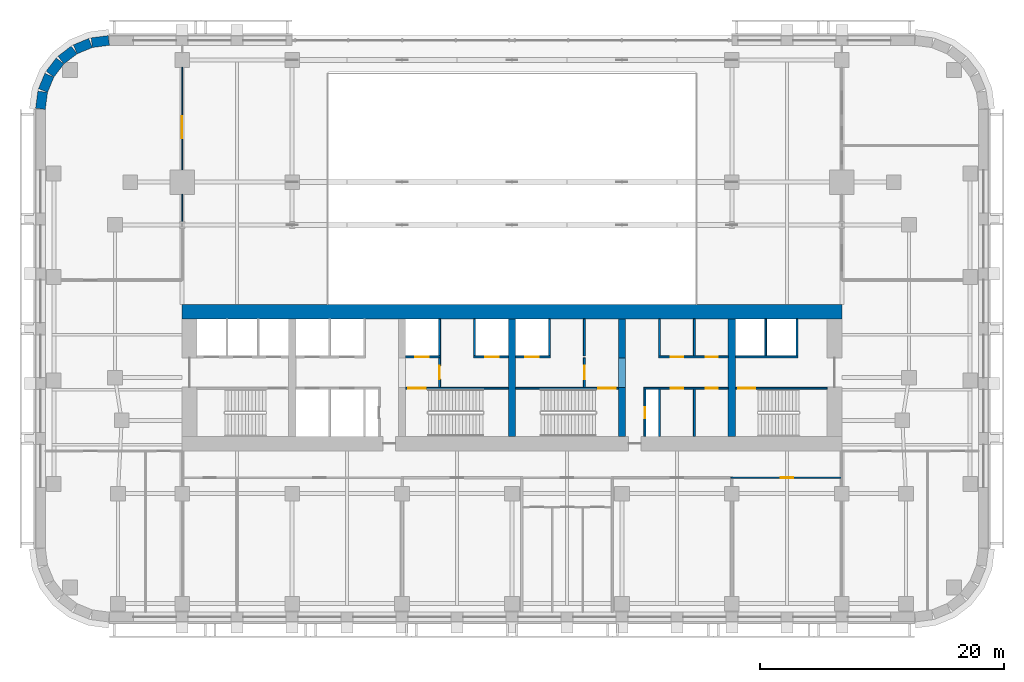
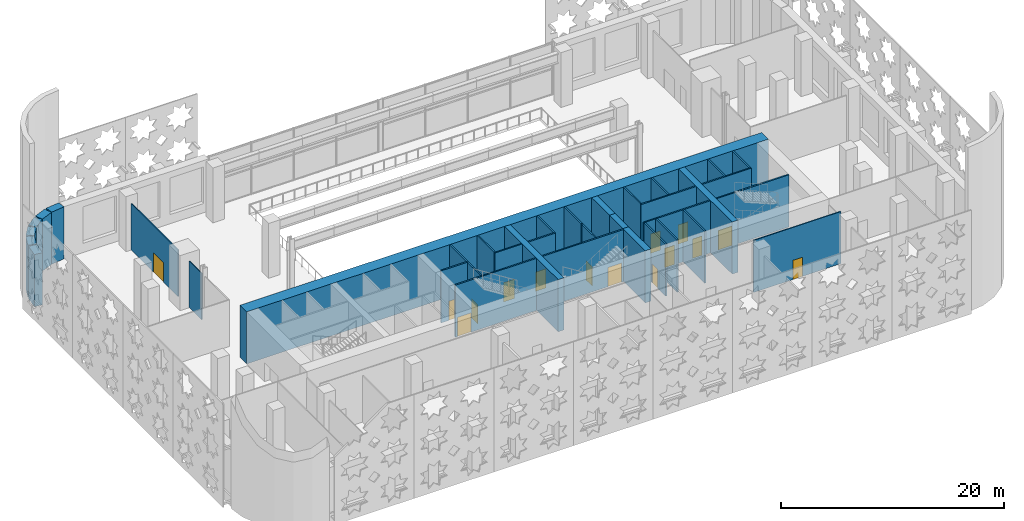
# One storey, part 6 of 17: 37 walls, 15 doors, 15 openings.
"""IFC4 building model written with IfcOpenShell, lengths in metres."""

from ifc_helpers import new_model, si_unit, direction, frame, frame_2d, origin, place, context, subcontext, project, spatial, rectangle, extrude, material, layer, layer_set, type_object, element, fill, save


model = new_model("IFC4")

# Units and contexts
model_context = context("Model", 3, precision=1e-05, world=origin(), true_north=direction((0.0, 1.0)))
body_context = subcontext(model_context, "Body", "Model", "MODEL_VIEW")
ifc_project = project(units=[si_unit("LENGTHUNIT", "METRE"), si_unit("AREAUNIT", "SQUARE_METRE"), si_unit("VOLUMEUNIT", "CUBIC_METRE"), si_unit("PLANEANGLEUNIT", "RADIAN"), si_unit("MASSUNIT", "GRAM", prefix="KILO")], contexts=[model_context])

# Site, building, storey
site_placement = place(None, origin())
site = spatial("IfcSite", under=ifc_project, at=site_placement, CompositionType="ELEMENT")
building_placement = place(site_placement, origin())
building = spatial("IfcBuilding", under=site, at=building_placement, Name="Zellij Exchange Tower", CompositionType="ELEMENT")
storey_placement = place(building_placement, frame((0.0, 0.0, 21.0)))
storey = spatial("IfcBuildingStorey", under=building, at=storey_placement, Name="L03", CompositionType="ELEMENT", Elevation=21.0)

# Walls
ifc_material_1 = material(Name="Concrete C70/85", Category="concrete")
ifc_layer_1 = layer(ifc_material_1, 0.60009765625)
ifc_layer_set_1 = layer_set([ifc_layer_1], Name="Concrete C70/85")
wall_type_1 = type_object("IfcWallType", Name="CORE-CW 600 C70/85", PredefinedType="SHEAR", material=ifc_layer_set_1)
wall_1_placement = place(storey_placement, frame((0.0, -12.800048828125, 0.0), z_axis=(0.0, 0.0, 1.0), x_axis=(0.0, 1.0, 0.0)))
element("IfcWall", 1, at=wall_1_placement, inside=storey, type_object=wall_type_1, Name="Core cross wall x 0 L03", PredefinedType="SHEAR", context=body_context, shape_type="SweptSolid", body=[
    extrude(rectangle(XDim=9.60009765625, YDim=0.60009765625, at=frame_2d((4.800048828125, 0.0))), origin(), (0.0, 0.0, 1.0), 5.699951171875),
])
wall_2_placement = place(storey_placement, frame((9.0, -12.800048828125, 0.0), z_axis=(0.0, 0.0, 1.0), x_axis=(0.0, 1.0, 0.0)))
element("IfcWall", 2, at=wall_2_placement, inside=storey, type_object=wall_type_1, Name="Core cross wall pier x 9 a L03", PredefinedType="SHEAR", context=body_context, shape_type="SweptSolid", body=[
    extrude(rectangle(XDim=4.0, YDim=0.60009765625, at=frame_2d((2.0, 0.0))), origin(), (0.0, 0.0, 1.0), 5.699951171875),
])
wall_3_placement = place(storey_placement, frame((9.0, -6.375, 0.0), z_axis=(0.0, 0.0, 1.0), x_axis=(0.0, 1.0, 0.0)))
element("IfcWall", 3, at=wall_3_placement, inside=storey, type_object=wall_type_1, Name="Core cross wall pier x 9 b L03", PredefinedType="SHEAR", context=body_context, shape_type="SweptSolid", body=[
    extrude(rectangle(XDim=3.175048828125, YDim=0.60009765625, at=frame_2d((1.58740234375, 0.0))), origin(), (0.0, 0.0, 1.0), 5.699951171875),
])
wall_4_placement = place(storey_placement, frame((9.0, -8.800048828125, 3.60009765625), z_axis=(0.0, 0.0, 1.0), x_axis=(0.0, 1.0, 0.0)))
element("IfcWall", 4, at=wall_4_placement, inside=storey, type_object=wall_type_1, Name="Core cross wall over opening x 9 L03", PredefinedType="SHEAR", context=body_context, shape_type="SweptSolid", body=[
    extrude(rectangle(XDim=2.425048828125, YDim=0.60009765625, at=frame_2d((1.21240234375, 0.0))), origin(), (0.0, 0.0, 1.0), 2.099853515625),
])
wall_5_placement = place(storey_placement, frame((18.0, -12.800048828125, 0.0), z_axis=(0.0, 0.0, 1.0), x_axis=(0.0, 1.0, 0.0)))
element("IfcWall", 5, at=wall_5_placement, inside=storey, type_object=wall_type_1, Name="Core cross wall x 18 L03", PredefinedType="SHEAR", context=body_context, shape_type="SweptSolid", body=[
    extrude(rectangle(XDim=9.60009765625, YDim=0.60009765625, at=frame_2d((4.800048828125, 0.0))), origin(), (0.0, 0.0, 1.0), 5.699951171875),
])

# Wall, opening, door
ifc_material_2 = material(Name="Gypsum shaft wall system")
ifc_layer_2 = layer(ifc_material_2, 0.14990234375)
ifc_layer_set_2 = layer_set([ifc_layer_2], Name="Gypsum shaft wall system")
wall_type_2 = type_object("IfcWallType", Name="CORE-PW 150 Firefighting lobby wall", PredefinedType="PARTITIONING", material=ifc_layer_set_2)
wall_6_placement = place(storey_placement, frame((-5.925048828125, -8.800048828125, 0.0), z_axis=(0.0, 0.0, 1.0), x_axis=(0.0, 1.0, 0.0)))
wall_6 = element("IfcWall", 6, at=wall_6_placement, inside=storey, type_object=wall_type_2, Name="Firefighting lobby wall L03", PredefinedType="PARTITIONING", context=body_context, shape_type="SweptSolid", body=[
    extrude(rectangle(XDim=2.425048828125, YDim=0.14990234375, at=frame_2d((1.21240234375, 0.0))), origin(), (0.0, 0.0, 1.0), 5.699951171875),
])
opening_1_placement = place(wall_6_placement, frame((0.662109375, 0.0, 0.0)))
opening_1 = element("IfcOpeningElement", 7, at=opening_1_placement, cuts=wall_6, Name="Opening CA-05.14", PredefinedType="OPENING", context=body_context, shape_type="SweptSolid", body=[
    extrude(rectangle(XDim=1.10009765625, YDim=2.10009765625, at=frame_2d((0.550048828125, 1.050048828125))), frame((0.0, 0.0869140625, 0.0), z_axis=(0.0, -1.0, 0.0), x_axis=(1.0, 0.0, 0.0)), (0.0, 0.0, 1.0), 0.173828125),
])
ifc_material_3 = material(Name="Hollow metal fire door")
door_type_1 = type_object("IfcDoorType", Name="CORE-D F Firefighting lobby door 1100x2100 1 HR", OperationType="NOTDEFINED", PredefinedType="DOOR", material=ifc_material_3)
door_1_placement = place(opening_1_placement, origin())
door_1 = element("IfcDoor", 8, at=door_1_placement, inside=storey, type_object=door_type_1, Name="Firefighting lobby door CA-05.14", OperationType="SINGLE_SWING_LEFT", OverallHeight=2.10009765625, OverallWidth=1.10009765625, PredefinedType="DOOR", context=body_context, shape_type="SweptSolid", body=[
    extrude(rectangle(XDim=1.10009765625, YDim=2.10009765625, at=frame_2d((0.550048828125, 1.050048828125))), frame((0.0, 0.02490234375, 0.0), z_axis=(0.0, -1.0, 0.0), x_axis=(1.0, 0.0, 0.0)), (0.0, 0.0, 1.0), 0.050048828125),
])
fill(opening_1, door_1)

wall_7_placement = place(storey_placement, frame((5.925048828125, -8.800048828125, 0.0), z_axis=(0.0, 0.0, 1.0), x_axis=(0.0, 1.0, 0.0)))
wall_7 = element("IfcWall", 9, at=wall_7_placement, inside=storey, type_object=wall_type_2, Name="Firefighting lobby wall L03", PredefinedType="PARTITIONING", context=body_context, shape_type="SweptSolid", body=[
    extrude(rectangle(XDim=2.425048828125, YDim=0.14990234375, at=frame_2d((1.21240234375, 0.0))), origin(), (0.0, 0.0, 1.0), 5.699951171875),
])
opening_2_placement = place(wall_7_placement, frame((0.662109375, 0.0, 0.0)))
opening_2 = element("IfcOpeningElement", 10, at=opening_2_placement, cuts=wall_7, Name="Opening CA-05.17", PredefinedType="OPENING", context=body_context, shape_type="SweptSolid", body=[
    extrude(rectangle(XDim=1.10009765625, YDim=2.10009765625, at=frame_2d((0.550048828125, 1.050048828125))), frame((0.0, 0.0869140625, 0.0), z_axis=(0.0, -1.0, 0.0), x_axis=(1.0, 0.0, 0.0)), (0.0, 0.0, 1.0), 0.173828125),
])
door_2_placement = place(opening_2_placement, origin())
door_2 = element("IfcDoor", 11, at=door_2_placement, inside=storey, type_object=door_type_1, Name="Firefighting lobby door CA-05.17", OperationType="SINGLE_SWING_RIGHT", OverallHeight=2.10009765625, OverallWidth=1.10009765625, PredefinedType="DOOR", context=body_context, shape_type="SweptSolid", body=[
    extrude(rectangle(XDim=1.10009765625, YDim=2.10009765625, at=frame_2d((0.550048828125, 1.050048828125))), frame((0.0, 0.02490234375, 0.0), z_axis=(0.0, -1.0, 0.0), x_axis=(1.0, 0.0, 0.0)), (0.0, 0.0, 1.0), 0.050048828125),
])
fill(opening_2, door_2)

# Walls
ifc_material_4 = material(Name="Gypsum board partition")
ifc_layer_3 = layer(ifc_material_4, 0.14990234375)
ifc_layer_set_3 = layer_set([ifc_layer_3], Name="Gypsum board partition")
wall_type_3 = type_object("IfcWallType", Name="CORE-PW 150 Lift lobby wall", PredefinedType="PARTITIONING", material=ifc_layer_set_3)
for number, where, z_axis, x_axis, name in (
    (12, (5.925048828125, -6.22509765625, 0.0), (0.0, 0.0, 1.0), (0.0, 1.0, 0.0), "Lift lobby wall L03"),
    (13, (12.074951171875, -6.22509765625, 0.0), (0.0, 0.0, 1.0), (0.0, 1.0, 0.0), "Lift lobby wall L03"),
    (14, (14.925048828125, -6.22509765625, 0.0), (0.0, 0.0, 1.0), (0.0, 1.0, 0.0), "Lift lobby wall L03"),
):
    element("IfcWall", number, at=place(storey_placement, frame(where, z_axis=z_axis, x_axis=x_axis)), inside=storey, type_object=wall_type_3, Name=name, PredefinedType="PARTITIONING", context=body_context, shape_type="SweptSolid", body=[
        extrude(rectangle(XDim=3.025146484375, YDim=0.14990234375, at=frame_2d((1.5126953125, 0.0))), origin(), (0.0, 0.0, 1.0), 5.699951171875),
    ])

# Wall, opening, door
wall_8_placement = place(storey_placement, frame((10.875, -12.800048828125, 0.0), z_axis=(0.0, 0.0, 1.0), x_axis=(0.0, 1.0, 0.0)))
wall_8 = element("IfcWall", 15, at=wall_8_placement, inside=storey, type_object=wall_type_3, Name="Lift lobby wall L03", PredefinedType="PARTITIONING", context=body_context, shape_type="SweptSolid", body=[
    extrude(rectangle(XDim=3.85009765625, YDim=0.14990234375, at=frame_2d((1.925048828125, 0.0))), origin(), (0.0, 0.0, 1.0), 5.699951171875),
])
opening_3_placement = place(wall_8_placement, frame((1.47509765625, 0.0, 0.0)))
opening_3 = element("IfcOpeningElement", 16, at=opening_3_placement, cuts=wall_8, Name="Opening CA-05.20", PredefinedType="OPENING", context=body_context, shape_type="SweptSolid", body=[
    extrude(rectangle(XDim=0.89990234375, YDim=2.10009765625, at=frame_2d((0.449951171875, 1.050048828125))), frame((0.0, 0.0869140625, 0.0), z_axis=(0.0, -1.0, 0.0), x_axis=(1.0, 0.0, 0.0)), (0.0, 0.0, 1.0), 0.173828125),
])
door_type_2 = type_object("IfcDoorType", Name="CORE-D RD Riser door 900x2100 1.5 HR", OperationType="NOTDEFINED", PredefinedType="DOOR", material=ifc_material_3)
door_3_placement = place(opening_3_placement, origin())
door_3 = element("IfcDoor", 17, at=door_3_placement, inside=storey, type_object=door_type_2, Name="Riser door CA-05.20", OperationType="SINGLE_SWING_LEFT", OverallHeight=2.10009765625, OverallWidth=0.89990234375, PredefinedType="DOOR", context=body_context, shape_type="SweptSolid", body=[
    extrude(rectangle(XDim=0.89990234375, YDim=2.10009765625, at=frame_2d((0.449951171875, 1.050048828125))), frame((0.0, 0.02490234375, 0.0), z_axis=(0.0, -1.0, 0.0), x_axis=(1.0, 0.0, 0.0)), (0.0, 0.0, 1.0), 0.050048828125),
])
fill(opening_3, door_3)

# Walls
for number, where, z_axis, x_axis, name in (
    (18, (12.074951171875, -12.800048828125, 0.0), (0.0, 0.0, 1.0), (0.0, 1.0, 0.0), "Lift lobby wall L03"),
    (19, (14.925048828125, -12.800048828125, 0.0), (0.0, 0.0, 1.0), (0.0, 1.0, 0.0), "Lift lobby wall L03"),
):
    element("IfcWall", number, at=place(storey_placement, frame(where, z_axis=z_axis, x_axis=x_axis)), inside=storey, type_object=wall_type_3, Name=name, PredefinedType="PARTITIONING", context=body_context, shape_type="SweptSolid", body=[
        extrude(rectangle(XDim=3.85009765625, YDim=0.14990234375, at=frame_2d((1.925048828125, 0.0))), origin(), (0.0, 0.0, 1.0), 5.699951171875),
    ])

# Wall, openings, doors
wall_9_placement = place(storey_placement, frame((12.0, -6.300048828125, 0.0), z_axis=(0.0, 0.0, 1.0), x_axis=(1.0, 0.0, 0.0)))
wall_9 = element("IfcWall", 20, at=wall_9_placement, inside=storey, type_object=wall_type_3, Name="Lift lobby wall L03", PredefinedType="PARTITIONING", context=body_context, shape_type="SweptSolid", body=[
    extrude(rectangle(XDim=5.699951171875, YDim=0.14990234375, at=frame_2d((2.85009765625, 0.0))), origin(), (0.0, 0.0, 1.0), 5.699951171875),
])
opening_4_placement = place(wall_9_placement, frame((1.0, 0.0, 0.0)))
opening_4 = element("IfcOpeningElement", 21, at=opening_4_placement, cuts=wall_9, Name="Opening CA-05.22", PredefinedType="OPENING", context=body_context, shape_type="SweptSolid", body=[
    extrude(rectangle(XDim=1.0, YDim=2.10009765625, at=frame_2d((0.5, 1.050048828125))), frame((0.0, 0.0869140625, 0.0), z_axis=(0.0, -1.0, 0.0), x_axis=(1.0, 0.0, 0.0)), (0.0, 0.0, 1.0), 0.173828125),
])
opening_5_placement = place(wall_9_placement, frame((3.85009765625, 0.0, 0.0)))
opening_5 = element("IfcOpeningElement", 22, at=opening_5_placement, cuts=wall_9, Name="Opening CA-05.24", PredefinedType="OPENING", context=body_context, shape_type="SweptSolid", body=[
    extrude(rectangle(XDim=1.0, YDim=2.10009765625, at=frame_2d((0.5, 1.050048828125))), frame((0.0, 0.0869140625, 0.0), z_axis=(0.0, -1.0, 0.0), x_axis=(1.0, 0.0, 0.0)), (0.0, 0.0, 1.0), 0.173828125),
])
door_type_3 = type_object("IfcDoorType", Name="CORE-D CD Core room door 1000x2100 1 HR", OperationType="NOTDEFINED", PredefinedType="DOOR", material=ifc_material_3)
door_4_placement = place(opening_4_placement, origin())
door_4 = element("IfcDoor", 23, at=door_4_placement, inside=storey, type_object=door_type_3, Name="Core room door CA-05.22", OperationType="SINGLE_SWING_LEFT", OverallHeight=2.10009765625, OverallWidth=1.0, PredefinedType="DOOR", context=body_context, shape_type="SweptSolid", body=[
    extrude(rectangle(XDim=1.0, YDim=2.10009765625, at=frame_2d((0.5, 1.050048828125))), frame((0.0, 0.02490234375, 0.0), z_axis=(0.0, -1.0, 0.0), x_axis=(1.0, 0.0, 0.0)), (0.0, 0.0, 1.0), 0.050048828125),
])
fill(opening_4, door_4)
door_5_placement = place(opening_5_placement, origin())
door_5 = element("IfcDoor", 24, at=door_5_placement, inside=storey, type_object=door_type_3, Name="Core room door CA-05.24", OperationType="SINGLE_SWING_RIGHT", OverallHeight=2.10009765625, OverallWidth=1.0, PredefinedType="DOOR", context=body_context, shape_type="SweptSolid", body=[
    extrude(rectangle(XDim=1.0, YDim=2.10009765625, at=frame_2d((0.5, 1.050048828125))), frame((0.0, 0.02490234375, 0.0), z_axis=(0.0, -1.0, 0.0), x_axis=(1.0, 0.0, 0.0)), (0.0, 0.0, 1.0), 0.050048828125),
])
fill(opening_5, door_5)

wall_10_placement = place(storey_placement, frame((10.800048828125, -8.875, 0.0), z_axis=(0.0, 0.0, 1.0), x_axis=(1.0, 0.0, 0.0)))
wall_10 = element("IfcWall", 25, at=wall_10_placement, inside=storey, type_object=wall_type_3, Name="Lift lobby wall L03", PredefinedType="PARTITIONING", context=body_context, shape_type="SweptSolid", body=[
    extrude(rectangle(XDim=6.89990234375, YDim=0.14990234375, at=frame_2d((3.449951171875, 0.0))), origin(), (0.0, 0.0, 1.0), 5.699951171875),
])
opening_6_placement = place(wall_10_placement, frame((2.199951171875, 0.0, 0.0)))
opening_6 = element("IfcOpeningElement", 26, at=opening_6_placement, cuts=wall_10, Name="Opening CA-05.21", PredefinedType="OPENING", context=body_context, shape_type="SweptSolid", body=[
    extrude(rectangle(XDim=1.0, YDim=2.10009765625, at=frame_2d((0.5, 1.050048828125))), frame((0.0, 0.0869140625, 0.0), z_axis=(0.0, -1.0, 0.0), x_axis=(1.0, 0.0, 0.0)), (0.0, 0.0, 1.0), 0.173828125),
])
opening_7_placement = place(wall_10_placement, frame((5.050048828125, 0.0, 0.0)))
opening_7 = element("IfcOpeningElement", 27, at=opening_7_placement, cuts=wall_10, Name="Opening CA-05.23", PredefinedType="OPENING", context=body_context, shape_type="SweptSolid", body=[
    extrude(rectangle(XDim=1.0, YDim=2.10009765625, at=frame_2d((0.5, 1.050048828125))), frame((0.0, 0.0869140625, 0.0), z_axis=(0.0, -1.0, 0.0), x_axis=(1.0, 0.0, 0.0)), (0.0, 0.0, 1.0), 0.173828125),
])
door_6_placement = place(opening_6_placement, origin())
door_6 = element("IfcDoor", 28, at=door_6_placement, inside=storey, type_object=door_type_3, Name="Core room door CA-05.21", OperationType="SINGLE_SWING_RIGHT", OverallHeight=2.10009765625, OverallWidth=1.0, PredefinedType="DOOR", context=body_context, shape_type="SweptSolid", body=[
    extrude(rectangle(XDim=1.0, YDim=2.10009765625, at=frame_2d((0.5, 1.050048828125))), frame((0.0, 0.02490234375, 0.0), z_axis=(0.0, -1.0, 0.0), x_axis=(1.0, 0.0, 0.0)), (0.0, 0.0, 1.0), 0.050048828125),
])
fill(opening_6, door_6)
door_7_placement = place(opening_7_placement, origin())
door_7 = element("IfcDoor", 29, at=door_7_placement, inside=storey, type_object=door_type_3, Name="Core room door CA-05.23", OperationType="SINGLE_SWING_LEFT", OverallHeight=2.10009765625, OverallWidth=1.0, PredefinedType="DOOR", context=body_context, shape_type="SweptSolid", body=[
    extrude(rectangle(XDim=1.0, YDim=2.10009765625, at=frame_2d((0.5, 1.050048828125))), frame((0.0, 0.02490234375, 0.0), z_axis=(0.0, -1.0, 0.0), x_axis=(1.0, 0.0, 0.0)), (0.0, 0.0, 1.0), 0.050048828125),
])
fill(opening_7, door_7)

# Walls
ifc_layer_4 = layer(ifc_material_2, 0.14990234375)
ifc_layer_set_4 = layer_set([ifc_layer_4], Name="Gypsum shaft wall system")
wall_type_4 = type_object("IfcWallType", Name="CORE-PW 150 Lift shaft wall", PredefinedType="PARTITIONING", material=ifc_layer_set_4)
for number, where, z_axis, x_axis, name in (
    (30, (-3.074951171875, -6.22509765625, 0.0), (0.0, 0.0, 1.0), (0.0, 1.0, 0.0), "Lift shaft wall L03"),
    (31, (-5.925048828125, -6.22509765625, 0.0), (0.0, 0.0, 1.0), (0.0, 1.0, 0.0), "Lift shaft wall L03"),
    (32, (3.074951171875, -6.22509765625, 0.0), (0.0, 0.0, 1.0), (0.0, 1.0, 0.0), "Lift shaft wall L03"),
    (33, (20.77490234375, -6.22509765625, 0.0), (0.0, 0.0, 1.0), (0.0, 1.0, 0.0), "Lift shaft wall L03"),
    (34, (23.324951171875, -6.22509765625, 0.0), (0.0, 0.0, 1.0), (0.0, 1.0, 0.0), "Lift shaft wall L03"),
):
    element("IfcWall", number, at=place(storey_placement, frame(where, z_axis=z_axis, x_axis=x_axis)), inside=storey, type_object=wall_type_4, Name=name, PredefinedType="PARTITIONING", context=body_context, shape_type="SweptSolid", body=[
        extrude(rectangle(XDim=3.025146484375, YDim=0.14990234375, at=frame_2d((1.5126953125, 0.0))), origin(), (0.0, 0.0, 1.0), 5.699951171875),
    ])

# Wall, opening, door
wall_11_placement = place(storey_placement, frame((-8.699951171875, -6.300048828125, 0.0), z_axis=(0.0, 0.0, 1.0), x_axis=(1.0, 0.0, 0.0)))
wall_11 = element("IfcWall", 35, at=wall_11_placement, inside=storey, type_object=wall_type_4, Name="Lift shaft wall L03", PredefinedType="PARTITIONING", context=body_context, shape_type="SweptSolid", body=[
    extrude(rectangle(XDim=2.849853515625, YDim=0.14990234375, at=frame_2d((1.4248046875, 0.0))), origin(), (0.0, 0.0, 1.0), 5.699951171875),
])
opening_8_placement = place(wall_11_placement, frame((0.800048828125, 0.0, 0.0)))
opening_8 = element("IfcOpeningElement", 36, at=opening_8_placement, cuts=wall_11, Name="Opening CA-05.13", PredefinedType="OPENING", context=body_context, shape_type="SweptSolid", body=[
    extrude(rectangle(XDim=1.10009765625, YDim=2.10009765625, at=frame_2d((0.550048828125, 1.050048828125))), frame((0.0, 0.0869140625, 0.0), z_axis=(0.0, -1.0, 0.0), x_axis=(1.0, 0.0, 0.0)), (0.0, 0.0, 1.0), 0.173828125),
])
door_type_4 = type_object("IfcDoorType", Name="CORE-D LD Lift landing door 1100x2100 1.5 HR", OperationType="NOTDEFINED", PredefinedType="DOOR", material=ifc_material_3)
door_8_placement = place(opening_8_placement, origin())
door_8 = element("IfcDoor", 37, at=door_8_placement, inside=storey, type_object=door_type_4, Name="Lift landing door CA-05.13", OperationType="SLIDING_TO_LEFT", OverallHeight=2.10009765625, OverallWidth=1.10009765625, PredefinedType="DOOR", context=body_context, shape_type="SweptSolid", body=[
    extrude(rectangle(XDim=1.10009765625, YDim=2.10009765625, at=frame_2d((0.550048828125, 1.050048828125))), frame((0.0, 0.02490234375, 0.0), z_axis=(0.0, -1.0, 0.0), x_axis=(1.0, 0.0, 0.0)), (0.0, 0.0, 1.0), 0.050048828125),
])
fill(opening_8, door_8)

wall_12_placement = place(storey_placement, frame((-3.14990234375, -6.300048828125, 0.0), z_axis=(0.0, 0.0, 1.0), x_axis=(1.0, 0.0, 0.0)))
wall_12 = element("IfcWall", 38, at=wall_12_placement, inside=storey, type_object=wall_type_4, Name="Lift shaft wall L03", PredefinedType="PARTITIONING", context=body_context, shape_type="SweptSolid", body=[
    extrude(rectangle(XDim=2.849853515625, YDim=0.14990234375, at=frame_2d((1.4248046875, 0.0))), origin(), (0.0, 0.0, 1.0), 5.699951171875),
])
opening_9_placement = place(wall_12_placement, frame((0.949951171875, 0.0, 0.0)))
opening_9 = element("IfcOpeningElement", 39, at=opening_9_placement, cuts=wall_12, Name="Opening CA-05.15", PredefinedType="OPENING", context=body_context, shape_type="SweptSolid", body=[
    extrude(rectangle(XDim=1.10009765625, YDim=2.10009765625, at=frame_2d((0.550048828125, 1.050048828125))), frame((0.0, 0.0869140625, 0.0), z_axis=(0.0, -1.0, 0.0), x_axis=(1.0, 0.0, 0.0)), (0.0, 0.0, 1.0), 0.173828125),
])
door_9_placement = place(opening_9_placement, origin())
door_9 = element("IfcDoor", 40, at=door_9_placement, inside=storey, type_object=door_type_4, Name="Lift landing door CA-05.15", OperationType="SLIDING_TO_LEFT", OverallHeight=2.10009765625, OverallWidth=1.10009765625, PredefinedType="DOOR", context=body_context, shape_type="SweptSolid", body=[
    extrude(rectangle(XDim=1.10009765625, YDim=2.10009765625, at=frame_2d((0.550048828125, 1.050048828125))), frame((0.0, 0.02490234375, 0.0), z_axis=(0.0, -1.0, 0.0), x_axis=(1.0, 0.0, 0.0)), (0.0, 0.0, 1.0), 0.050048828125),
])
fill(opening_9, door_9)

wall_13_placement = place(storey_placement, frame((0.300048828125, -6.300048828125, 0.0), z_axis=(0.0, 0.0, 1.0), x_axis=(1.0, 0.0, 0.0)))
wall_13 = element("IfcWall", 41, at=wall_13_placement, inside=storey, type_object=wall_type_4, Name="Lift shaft wall L03", PredefinedType="PARTITIONING", context=body_context, shape_type="SweptSolid", body=[
    extrude(rectangle(XDim=2.849853515625, YDim=0.14990234375, at=frame_2d((1.4248046875, 0.0))), origin(), (0.0, 0.0, 1.0), 5.699951171875),
])
opening_10_placement = place(wall_13_placement, frame((0.800048828125, 0.0, 0.0)))
opening_10 = element("IfcOpeningElement", 42, at=opening_10_placement, cuts=wall_13, Name="Opening CA-05.16", PredefinedType="OPENING", context=body_context, shape_type="SweptSolid", body=[
    extrude(rectangle(XDim=1.10009765625, YDim=2.10009765625, at=frame_2d((0.550048828125, 1.050048828125))), frame((0.0, 0.0869140625, 0.0), z_axis=(0.0, -1.0, 0.0), x_axis=(1.0, 0.0, 0.0)), (0.0, 0.0, 1.0), 0.173828125),
])
door_10_placement = place(opening_10_placement, origin())
door_10 = element("IfcDoor", 43, at=door_10_placement, inside=storey, type_object=door_type_4, Name="Lift landing door CA-05.16", OperationType="SLIDING_TO_RIGHT", OverallHeight=2.10009765625, OverallWidth=1.10009765625, PredefinedType="DOOR", context=body_context, shape_type="SweptSolid", body=[
    extrude(rectangle(XDim=1.10009765625, YDim=2.10009765625, at=frame_2d((0.550048828125, 1.050048828125))), frame((0.0, 0.02490234375, 0.0), z_axis=(0.0, -1.0, 0.0), x_axis=(1.0, 0.0, 0.0)), (0.0, 0.0, 1.0), 0.050048828125),
])
fill(opening_10, door_10)

# Walls
wall_14_placement = place(storey_placement, frame((18.300048828125, -6.300048828125, 0.0), z_axis=(0.0, 0.0, 1.0), x_axis=(1.0, 0.0, 0.0)))
element("IfcWall", 44, at=wall_14_placement, inside=storey, type_object=wall_type_4, Name="Lift shaft wall L03", PredefinedType="PARTITIONING", context=body_context, shape_type="SweptSolid", body=[
    extrude(rectangle(XDim=5.099853515625, YDim=0.14990234375, at=frame_2d((2.5498046875, 0.0))), origin(), (0.0, 0.0, 1.0), 5.699951171875),
])
ifc_layer_5 = layer(ifc_material_1, 1.199951171875)
ifc_layer_set_5 = layer_set([ifc_layer_5], Name="Concrete C70/85")
wall_type_5 = type_object("IfcWallType", Name="CORE-SW 1200 C70/85", PredefinedType="SHEAR", material=ifc_layer_set_5)
wall_15_placement = place(storey_placement, frame((-27.0, -2.60009765625, 0.0), z_axis=(0.0, 0.0, 1.0), x_axis=(1.0, 0.0, 0.0)))
element("IfcWall", 45, at=wall_15_placement, inside=storey, type_object=wall_type_5, Name="Core shear wall front L03", PredefinedType="SHEAR", context=body_context, shape_type="SweptSolid", body=[
    extrude(rectangle(XDim=54.0, YDim=1.199951171875, at=frame_2d((27.0, 0.0))), origin(), (0.0, 0.0, 1.0), 5.699951171875),
])

# Wall, opening, door
ifc_layer_6 = layer(ifc_material_1, 0.14990234375)
ifc_layer_set_6 = layer_set([ifc_layer_6], Name="Concrete C70/85")
wall_type_6 = type_object("IfcWallType", Name="CORE-SWS 150 C70/85", PredefinedType="SHEAR", material=ifc_layer_set_6)
wall_16_placement = place(storey_placement, frame((-8.699951171875, -8.875, 0.0), z_axis=(0.0, 0.0, 1.0), x_axis=(1.0, 0.0, 0.0)))
wall_16 = element("IfcWall", 46, at=wall_16_placement, inside=storey, type_object=wall_type_6, Name="Stair enclosure wall L03", PredefinedType="SHEAR", context=body_context, shape_type="SweptSolid", body=[
    extrude(rectangle(XDim=8.39990234375, YDim=0.14990234375, at=frame_2d((4.199951171875, 0.0))), origin(), (0.0, 0.0, 1.0), 5.699951171875),
])
opening_11_placement = place(wall_16_placement, frame((0.22509765625, 0.0, 0.0)))
opening_11 = element("IfcOpeningElement", 47, at=opening_11_placement, cuts=wall_16, Name="Opening CA-05.12", PredefinedType="OPENING", context=body_context, shape_type="SweptSolid", body=[
    extrude(rectangle(XDim=1.39990234375, YDim=2.10009765625, at=frame_2d((0.699951171875, 1.050048828125))), frame((0.0, 0.0869140625, 0.0), z_axis=(0.0, -1.0, 0.0), x_axis=(1.0, 0.0, 0.0)), (0.0, 0.0, 1.0), 0.173828125),
])
door_type_5 = type_object("IfcDoorType", Name="CORE-D SD Stair door 1400x2100 1.5 HR", OperationType="NOTDEFINED", PredefinedType="DOOR", material=ifc_material_3)
door_11_placement = place(opening_11_placement, origin())
door_11 = element("IfcDoor", 48, at=door_11_placement, inside=storey, type_object=door_type_5, Name="Stair door CA-05.12", OperationType="DOUBLE_DOOR_SINGLE_SWING", OverallHeight=2.10009765625, OverallWidth=1.39990234375, PredefinedType="DOOR", context=body_context, shape_type="SweptSolid", body=[
    extrude(rectangle(XDim=1.39990234375, YDim=2.10009765625, at=frame_2d((0.699951171875, 1.050048828125))), frame((0.0, 0.02490234375, 0.0), z_axis=(0.0, -1.0, 0.0), x_axis=(1.0, 0.0, 0.0)), (0.0, 0.0, 1.0), 0.050048828125),
])
fill(opening_11, door_11)

wall_17_placement = place(storey_placement, frame((0.300048828125, -8.875, 0.0), z_axis=(0.0, 0.0, 1.0), x_axis=(1.0, 0.0, 0.0)))
wall_17 = element("IfcWall", 49, at=wall_17_placement, inside=storey, type_object=wall_type_6, Name="Stair enclosure wall L03", PredefinedType="SHEAR", context=body_context, shape_type="SweptSolid", body=[
    extrude(rectangle(XDim=8.39990234375, YDim=0.14990234375, at=frame_2d((4.199951171875, 0.0))), origin(), (0.0, 0.0, 1.0), 5.699951171875),
])
opening_12_placement = place(wall_17_placement, frame((6.77490234375, 0.0, 0.0)))
opening_12 = element("IfcOpeningElement", 50, at=opening_12_placement, cuts=wall_17, Name="Opening CA-05.18", PredefinedType="OPENING", context=body_context, shape_type="SweptSolid", body=[
    extrude(rectangle(XDim=1.39990234375, YDim=2.10009765625, at=frame_2d((0.699951171875, 1.050048828125))), frame((0.0, 0.0869140625, 0.0), z_axis=(0.0, -1.0, 0.0), x_axis=(1.0, 0.0, 0.0)), (0.0, 0.0, 1.0), 0.173828125),
])
door_12_placement = place(opening_12_placement, origin())
door_12 = element("IfcDoor", 51, at=door_12_placement, inside=storey, type_object=door_type_5, Name="Stair door CA-05.18", OperationType="DOUBLE_DOOR_SINGLE_SWING", OverallHeight=2.10009765625, OverallWidth=1.39990234375, PredefinedType="DOOR", context=body_context, shape_type="SweptSolid", body=[
    extrude(rectangle(XDim=1.39990234375, YDim=2.10009765625, at=frame_2d((0.699951171875, 1.050048828125))), frame((0.0, 0.02490234375, 0.0), z_axis=(0.0, -1.0, 0.0), x_axis=(1.0, 0.0, 0.0)), (0.0, 0.0, 1.0), 0.050048828125),
])
fill(opening_12, door_12)

wall_18_placement = place(storey_placement, frame((18.300048828125, -8.875, 0.0), z_axis=(0.0, 0.0, 1.0), x_axis=(1.0, 0.0, 0.0)))
wall_18 = element("IfcWall", 52, at=wall_18_placement, inside=storey, type_object=wall_type_6, Name="Stair enclosure wall L03", PredefinedType="SHEAR", context=body_context, shape_type="SweptSolid", body=[
    extrude(rectangle(XDim=7.5, YDim=0.14990234375, at=frame_2d((3.75, 0.0))), origin(), (0.0, 0.0, 1.0), 5.699951171875),
])
opening_13_placement = place(wall_18_placement, frame((0.22509765625, 0.0, 0.0)))
opening_13 = element("IfcOpeningElement", 53, at=opening_13_placement, cuts=wall_18, Name="Opening CA-05.25", PredefinedType="OPENING", context=body_context, shape_type="SweptSolid", body=[
    extrude(rectangle(XDim=1.39990234375, YDim=2.10009765625, at=frame_2d((0.699951171875, 1.050048828125))), frame((0.0, 0.0869140625, 0.0), z_axis=(0.0, -1.0, 0.0), x_axis=(1.0, 0.0, 0.0)), (0.0, 0.0, 1.0), 0.173828125),
])
door_13_placement = place(opening_13_placement, origin())
door_13 = element("IfcDoor", 54, at=door_13_placement, inside=storey, type_object=door_type_5, Name="Stair door CA-05.25", OperationType="DOUBLE_DOOR_SINGLE_SWING", OverallHeight=2.10009765625, OverallWidth=1.39990234375, PredefinedType="DOOR", context=body_context, shape_type="SweptSolid", body=[
    extrude(rectangle(XDim=1.39990234375, YDim=2.10009765625, at=frame_2d((0.699951171875, 1.050048828125))), frame((0.0, 0.02490234375, 0.0), z_axis=(0.0, -1.0, 0.0), x_axis=(1.0, 0.0, 0.0)), (0.0, 0.0, 1.0), 0.050048828125),
])
fill(opening_13, door_13)

# Walls
ifc_material_5 = material(Name="Precast concrete C40/50", Category="concrete")
ifc_layer_7 = layer(ifc_material_5, 0.800048828125)
ifc_layer_set_7 = layer_set([ifc_layer_7], Name="Precast concrete C40/50")
wall_type_7 = type_object("IfcWallType", Name="ENV-EW1 Precast stone-piered wall 800", PredefinedType="SOLIDWALL", material=ifc_layer_set_7)
wall_19_placement = place(storey_placement, frame((-32.999755859375, 19.5966796875, 0.0), z_axis=(0.0, 0.0, 1.0), x_axis=(-0.99144603414, -0.130517283865, 0.0)))
element("IfcWall", 55, at=wall_19_placement, inside=storey, type_object=wall_type_7, Name="fac.L03.15", PredefinedType="SOLIDWALL", context=body_context, shape_type="SweptSolid", body=[
    extrude(rectangle(XDim=1.408447265625, YDim=0.800048828125, at=frame_2d((0.7041015625, 0.0))), origin(), (0.0, 0.0, 1.0), 5.699951171875),
])
wall_20_placement = place(storey_placement, frame((-34.497314453125, 19.3857421875, 0.0), z_axis=(0.0, 0.0, 1.0), x_axis=(-0.923847774587, -0.38276009378, 0.0)))
element("IfcWall", 56, at=wall_20_placement, inside=storey, type_object=wall_type_7, Name="fac.L03.16", PredefinedType="SOLIDWALL", context=body_context, shape_type="SweptSolid", body=[
    extrude(rectangle(XDim=1.35546875, YDim=0.800048828125, at=frame_2d((0.677734375, 0.0))), origin(), (0.0, 0.0, 1.0), 5.699951171875),
])
for number, where, z_axis, x_axis, name in (
    (57, (-35.840087890625, 18.814697265625, 0.0), (0.0, 0.0, 1.0), (-0.793272915452, -0.608866226366, 0.0), "fac.L03.17"),
    (58, (-36.9892578125, 17.91552734375, 0.0), (0.0, 0.0, 1.0), (-0.608866226366, -0.793272915452, 0.0), "fac.L03.18"),
):
    element("IfcWall", number, at=place(storey_placement, frame(where, z_axis=z_axis, x_axis=x_axis)), inside=storey, type_object=wall_type_7, Name=name, PredefinedType="SOLIDWALL", context=body_context, shape_type="SweptSolid", body=[
        extrude(rectangle(XDim=1.355712890625, YDim=0.800048828125, at=frame_2d((0.677734375, 0.0))), origin(), (0.0, 0.0, 1.0), 5.699951171875),
    ])
wall_21_placement = place(storey_placement, frame((-37.866943359375, 16.74951171875, 0.0), z_axis=(0.0, 0.0, 1.0), x_axis=(-0.38276009378, -0.923847774587, 0.0)))
element("IfcWall", 59, at=wall_21_placement, inside=storey, type_object=wall_type_7, Name="fac.L03.19", PredefinedType="SOLIDWALL", context=body_context, shape_type="SweptSolid", body=[
    extrude(rectangle(XDim=1.35546875, YDim=0.800048828125, at=frame_2d((0.677734375, 0.0))), origin(), (0.0, 0.0, 1.0), 5.699951171875),
])
wall_22_placement = place(storey_placement, frame((-38.412841796875, 15.396240234375, 0.0), z_axis=(0.0, 0.0, 1.0), x_axis=(-0.130517283865, -0.99144603414, 0.0)))
element("IfcWall", 60, at=wall_22_placement, inside=storey, type_object=wall_type_7, Name="fac.L03.20", PredefinedType="SOLIDWALL", context=body_context, shape_type="SweptSolid", body=[
    extrude(rectangle(XDim=1.408447265625, YDim=0.800048828125, at=frame_2d((0.7041015625, 0.0))), origin(), (0.0, 0.0, 1.0), 5.699951171875),
])

# Wall, opening, door
ifc_material_6 = material(Name="Gypsum board partition on steel studs", Category="steel")
ifc_layer_8 = layer(ifc_material_6, 0.10009765625)
ifc_layer_set_8 = layer_set([ifc_layer_8], Name="Gypsum board partition on steel studs")
wall_type_8 = type_object("IfcWallType", Name="FIT-PARTITION-100", PredefinedType="PARTITIONING", material=ifc_layer_set_8)
wall_23_placement = place(storey_placement, frame((17.925048828125, -16.199951171875, 0.0), z_axis=(0.0, 0.0, 1.0), x_axis=(1.0, 0.0, 0.0)))
wall_23 = element("IfcWall", 61, at=wall_23_placement, inside=storey, type_object=wall_type_8, Name="FIT-PARTITION-100 022", PredefinedType="PARTITIONING", context=body_context, shape_type="SweptSolid", body=[
    extrude(rectangle(XDim=9.02490234375, YDim=0.10009765625, at=frame_2d((4.512451171875, 0.0))), origin(), (0.0, 0.0, 1.0), 5.699951171875),
])
opening_14_placement = place(wall_23_placement, frame((4.074951171875, 0.0, 0.0)))
opening_14 = element("IfcOpeningElement", 62, at=opening_14_placement, cuts=wall_23, Name="Opening P3.09", PredefinedType="OPENING", context=body_context, shape_type="SweptSolid", body=[
    extrude(rectangle(XDim=1.0, YDim=2.10009765625, at=frame_2d((0.5, 1.050048828125))), frame((0.0, 0.06201171875, 0.0), z_axis=(0.0, -1.0, 0.0), x_axis=(1.0, 0.0, 0.0)), (0.0, 0.0, 1.0), 0.1240234375),
])
ifc_material_7 = material(Name="Timber door set", Category="wood")
door_type_6 = type_object("IfcDoorType", Name="FIT-D2-WIDE-1000X2100", OperationType="SINGLE_SWING_LEFT", PredefinedType="DOOR", material=ifc_material_7)
door_14_placement = place(opening_14_placement, origin())
door_14 = element("IfcDoor", 63, at=door_14_placement, inside=storey, type_object=door_type_6, Name="Door P3.09", OperationType="SINGLE_SWING_RIGHT", OverallHeight=2.10009765625, OverallWidth=1.0, PredefinedType="DOOR", context=body_context, shape_type="SweptSolid", body=[
    extrude(rectangle(XDim=1.0, YDim=2.10009765625, at=frame_2d((0.5, 1.050048828125))), frame((0.0, 0.02490234375, 0.0), z_axis=(0.0, -1.0, 0.0), x_axis=(1.0, 0.0, 0.0)), (0.0, 0.0, 1.0), 0.050048828125),
])
fill(opening_14, door_14)

# Wall
wall_24_placement = place(storey_placement, frame((-27.0, 4.784423828125, 0.0), z_axis=(0.0, 0.0, 1.0), x_axis=(0.0, 1.0, 0.0)))
element("IfcWall", 64, at=wall_24_placement, inside=storey, type_object=wall_type_8, Name="FIT-PARTITION-100 027", PredefinedType="PARTITIONING", context=body_context, shape_type="SweptSolid", body=[
    extrude(rectangle(XDim=2.215576171875, YDim=0.10009765625, at=frame_2d((1.10791015625, 0.0))), origin(), (0.0, 0.0, 1.0), 5.087890625),
])

# Wall, opening, door
wall_25_placement = place(storey_placement, frame((-27.0, 9.0, 0.0), z_axis=(0.0, 0.0, 1.0), x_axis=(0.0, 1.0, 0.0)))
wall_25 = element("IfcWall", 65, at=wall_25_placement, inside=storey, type_object=wall_type_8, Name="FIT-PARTITION-100 028", PredefinedType="PARTITIONING", context=body_context, shape_type="SweptSolid", body=[
    extrude(rectangle(XDim=8.39990234375, YDim=0.10009765625, at=frame_2d((4.199951171875, 0.0))), origin(), (0.0, 0.0, 1.0), 5.087890625),
])
opening_15_placement = place(wall_25_placement, frame((2.60009765625, 0.0, 0.0)))
opening_15 = element("IfcOpeningElement", 66, at=opening_15_placement, cuts=wall_25, Name="Opening P3.18", PredefinedType="OPENING", context=body_context, shape_type="SweptSolid", body=[
    extrude(rectangle(XDim=1.800048828125, YDim=2.10009765625, at=frame_2d((0.89990234375, 1.050048828125))), frame((0.0, 0.06201171875, 0.0), z_axis=(0.0, -1.0, 0.0), x_axis=(1.0, 0.0, 0.0)), (0.0, 0.0, 1.0), 0.1240234375),
])
door_type_7 = type_object("IfcDoorType", Name="FIT-D3-DOUBLE-1800X2100", OperationType="DOUBLE_DOOR_SINGLE_SWING", PredefinedType="DOOR", material=ifc_material_7)
door_15_placement = place(opening_15_placement, origin())
door_15 = element("IfcDoor", 67, at=door_15_placement, inside=storey, type_object=door_type_7, Name="Door P3.18", OperationType="DOUBLE_DOOR_SINGLE_SWING", OverallHeight=2.10009765625, OverallWidth=1.800048828125, PredefinedType="DOOR", context=body_context, shape_type="SweptSolid", body=[
    extrude(rectangle(XDim=1.800048828125, YDim=2.10009765625, at=frame_2d((0.89990234375, 1.050048828125))), frame((0.0, 0.02490234375, 0.0), z_axis=(0.0, -1.0, 0.0), x_axis=(1.0, 0.0, 0.0)), (0.0, 0.0, 1.0), 0.050048828125),
])
fill(opening_15, door_15)

save(model, "model.ifc")
